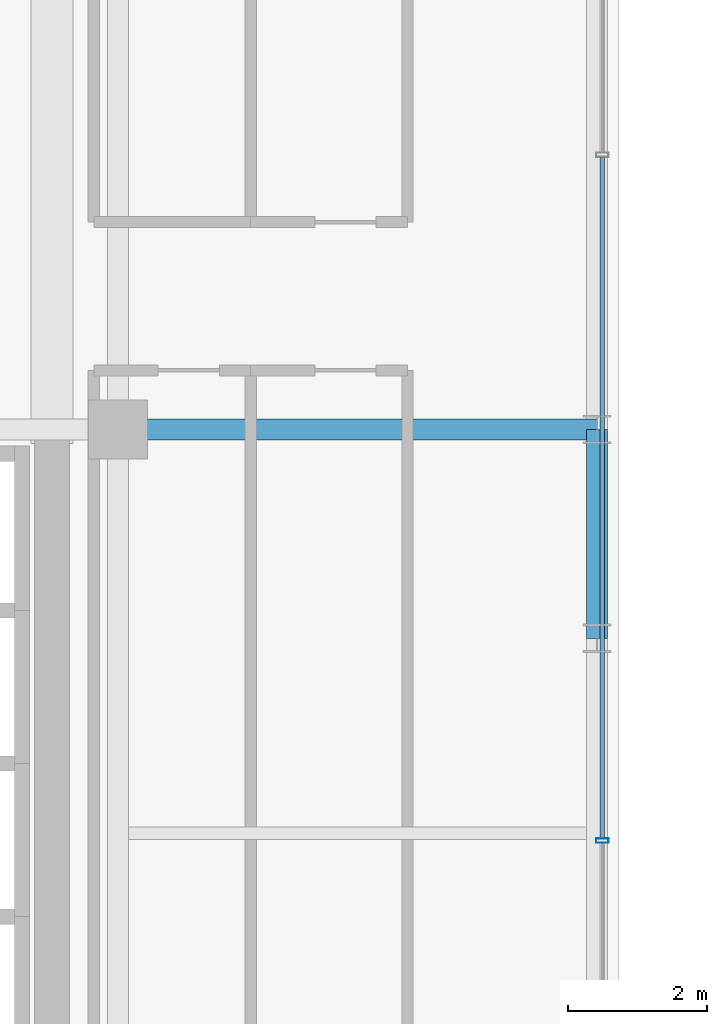
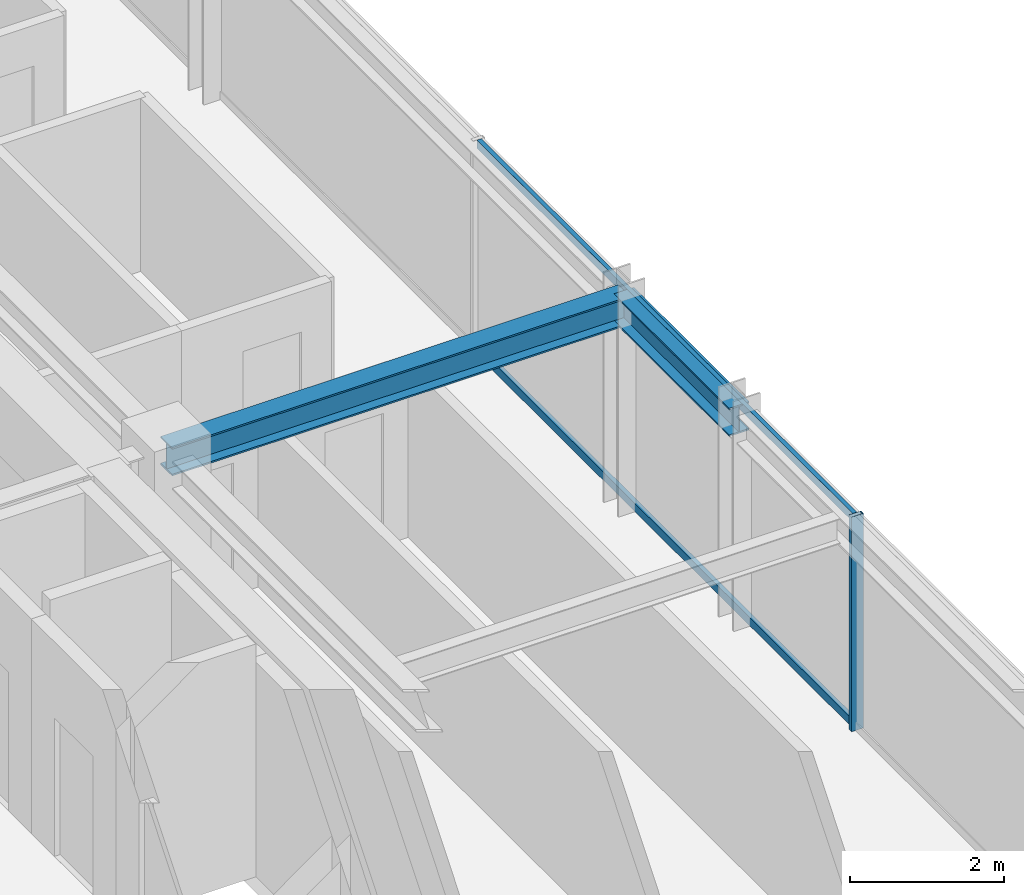
# One storey, part 15 of 34: 3 members, 2 beams, 1 element without a shape of its own.
"""IFC4 building model written with IfcOpenShell, lengths in metres."""

from ifc_helpers import new_model, si_unit, direction, frame, origin, origin_2d, place, context, subcontext, project, spatial, hollow_rectangle, i_section, extrude, source, transform, mapped, material, material_profile, profile_set, type_object, element, aggregate, save


model = new_model("IFC4")

# Units and contexts
model_context = context("Model", 3, precision=1e-05, world=origin(), true_north=direction((0.0, 1.0)))
body_context = subcontext(model_context, "Body", "Model", "MODEL_VIEW")
ifc_project = project(units=[si_unit("LENGTHUNIT", "METRE"), si_unit("AREAUNIT", "SQUARE_METRE"), si_unit("VOLUMEUNIT", "CUBIC_METRE"), si_unit("PLANEANGLEUNIT", "RADIAN"), si_unit("MASSUNIT", "GRAM", prefix="KILO")], contexts=[model_context])

# Site, building, storey
site_placement = place(None, origin())
site = spatial("IfcSite", under=ifc_project, at=site_placement, CompositionType="ELEMENT")
building_placement = place(site_placement, origin())
building = spatial("IfcBuilding", under=site, at=building_placement, Name="Nahalor Promenade Grand Hotel", CompositionType="ELEMENT")
storey_placement = place(building_placement, frame((0.0, 0.0, 208.60009765625)))
storey = spatial("IfcBuildingStorey", under=building, at=storey_placement, Name="L53", CompositionType="ELEMENT", Elevation=208.60009765625)

# Beams
ifc_material_1 = material(Name="Steel S355JR", Category="steel")
ifc_material_profile_1 = material_profile(ifc_material_1, i_section(OverallWidth=0.3, OverallDepth=0.45, WebThickness=0.014, FlangeThickness=0.026, at=origin_2d()), Name="HEB 450")
ifc_profile_set_1 = profile_set([ifc_material_profile_1], Name="Steel S355JR")
beam_type_1 = type_object("IfcBeamType", Name="Beam-Spandrel-HEB450", PredefinedType="SPANDREL", material=ifc_profile_set_1)
shared_shape_1 = source(origin(), body_context, "Body", "SweptSolid", [
    extrude(i_section(OverallWidth=0.3, OverallDepth=0.45, WebThickness=0.014, FlangeThickness=0.026, at=origin_2d()), origin(), (0.0, 0.0, 1.0), 3.0),
])
beam_1_placement = place(storey_placement, frame((23.8798828125, -8.39990234375, 3.184814453125), z_axis=(0.0, 1.0, 0.0), x_axis=(-1.0, 0.0, 0.0)))
element("IfcBeam", 1, at=beam_1_placement, inside=storey, type_object=beam_type_1, Name="BM-L53-SP-E-1", PredefinedType="SPANDREL", context=body_context, shape_type="MappedRepresentation", body=[
    mapped(shared_shape_1, transform((0.0, 0.0, 0.0), scale=1.0)),
])
ifc_material_profile_2 = material_profile(ifc_material_1, i_section(OverallWidth=0.3, OverallDepth=0.45, WebThickness=0.014, FlangeThickness=0.026, at=origin_2d()), Name="HEB 450")
ifc_profile_set_2 = profile_set([ifc_material_profile_2], Name="Steel S355JR")
beam_type_2 = type_object("IfcBeamType", Name="Beam-Girder-HEB450", PredefinedType="BEAM", material=ifc_profile_set_2)
shared_shape_2 = source(origin(), body_context, "Body", "SweptSolid", [
    extrude(i_section(OverallWidth=0.3, OverallDepth=0.45, WebThickness=0.014, FlangeThickness=0.026, at=origin_2d()), origin(), (0.0, 0.0, 1.0), 6.8798828125),
])
beam_2_placement = place(storey_placement, frame((17.0, -5.39990234375, 3.184814453125), z_axis=(1.0, 0.0, 0.0), x_axis=(0.0, 1.0, 0.0)))
element("IfcBeam", 2, at=beam_2_placement, inside=storey, type_object=beam_type_2, Name="BM-L53-GX-1-6", PredefinedType="BEAM", context=body_context, shape_type="MappedRepresentation", body=[
    mapped(shared_shape_2, transform((0.0, 0.0, 0.0), scale=1.0)),
])

# Curtain wall, members
ifc_material_2 = material(Name="Anodised Bronze Aluminium EN AW-6063 T6", Category="aluminium")
curtain_wall_type = type_object("IfcCurtainWallType", Name="CW2 Typical Hotel Flush Bronze Unitised Curtain Wall", PredefinedType="USERDEFINED", material=ifc_material_2)
curtain_wall_placement = place(storey_placement, origin())
curtain_wall = element("IfcCurtainWall", 3, at=curtain_wall_placement, inside=storey, type_object=curtain_wall_type, Name="L53 Curtain Wall CW-L53-E-1", ObjectType="UNITISED_CURTAIN_WALL", PredefinedType="USERDEFINED")
ifc_material_profile_3 = material_profile(ifc_material_2, hollow_rectangle(XDim=0.065, YDim=0.13, WallThickness=0.004, at=origin_2d()), Name="CWT 65x130x4")
ifc_profile_set_3 = profile_set([ifc_material_profile_3], Name="Anodised Bronze Aluminium EN AW-6063 T6")
member_type_1 = type_object("IfcMemberType", Name="CWT2 Typical Bronze Transom 65x130", PredefinedType="USERDEFINED", material=ifc_profile_set_3)
shared_shape_3 = source(origin(), body_context, "Body", "SweptSolid", [
    extrude(hollow_rectangle(XDim=0.065, YDim=0.13, WallThickness=0.004, at=origin_2d()), origin(), (0.0, 0.0, 1.0), 9.788330078125),
])
member_1_placement = place(storey_placement, frame((23.9599609375, -11.274169921875, 0.06494140625), z_axis=(0.0, 1.0, 0.0), x_axis=(-1.0, 0.0, 0.0)))
member_1 = element("IfcMember", 4, at=member_1_placement, type_object=member_type_1, Name="CW-L53-E-1 Transom 1-0", ObjectType="TRANSOM", PredefinedType="USERDEFINED", context=body_context, shape_type="MappedRepresentation", body=[
    mapped(shared_shape_3, transform((0.0, 0.0, 0.0), scale=1.0)),
])
member_2_placement = place(storey_placement, frame((23.9599609375, -11.274169921875, 3.344970703125), z_axis=(0.0, 1.0, 0.0), x_axis=(-1.0, 0.0, 0.0)))
member_2 = element("IfcMember", 5, at=member_2_placement, type_object=member_type_1, Name="CW-L53-E-1 Transom 1-1", ObjectType="TRANSOM", PredefinedType="USERDEFINED", context=body_context, shape_type="MappedRepresentation", body=[
    mapped(shared_shape_3, transform((0.0, 0.0, 0.0), scale=1.0)),
])
ifc_material_profile_4 = material_profile(ifc_material_2, hollow_rectangle(XDim=0.065, YDim=0.18, WallThickness=0.004, at=origin_2d()), Name="CWM 65x180x4")
ifc_profile_set_4 = profile_set([ifc_material_profile_4], Name="Anodised Bronze Aluminium EN AW-6063 T6")
member_type_2 = type_object("IfcMemberType", Name="CWM2 Typical Bronze Mullion 65x180", PredefinedType="MULLION", material=ifc_profile_set_4)
shared_shape_4 = source(origin(), body_context, "Body", "SweptSolid", [
    extrude(hollow_rectangle(XDim=0.065, YDim=0.18, WallThickness=0.004, at=origin_2d()), origin(), (0.0, 0.0, 1.0), 3.409912109375),
])
member_3_placement = place(storey_placement, frame((23.9599609375, -11.306640625, 0.0), z_axis=(0.0, 0.0, 1.0), x_axis=(0.0, 1.0, 0.0)))
member_3 = element("IfcMember", 6, at=member_3_placement, type_object=member_type_2, Name="CW-L53-E-1 Mullion 1", PredefinedType="MULLION", context=body_context, shape_type="MappedRepresentation", body=[
    mapped(shared_shape_4, transform((0.0, 0.0, 0.0), scale=1.0)),
])
aggregate(curtain_wall, [member_3, member_1, member_2])

save(model, "model.ifc")
